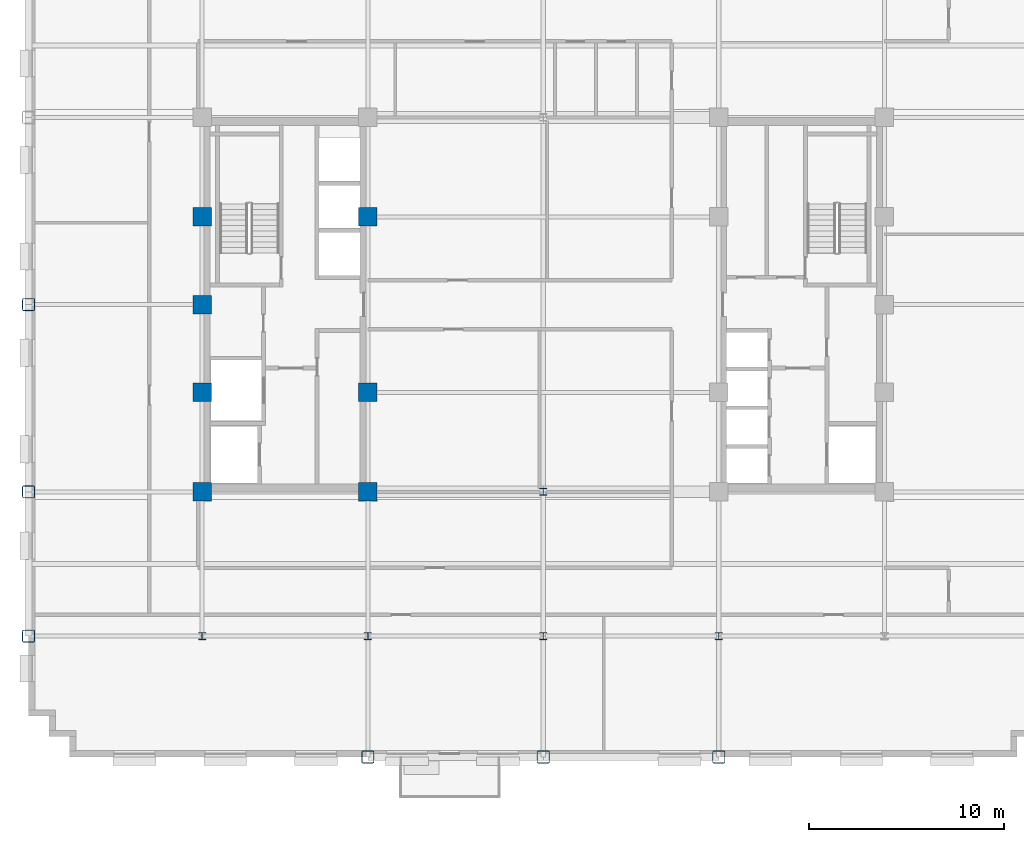
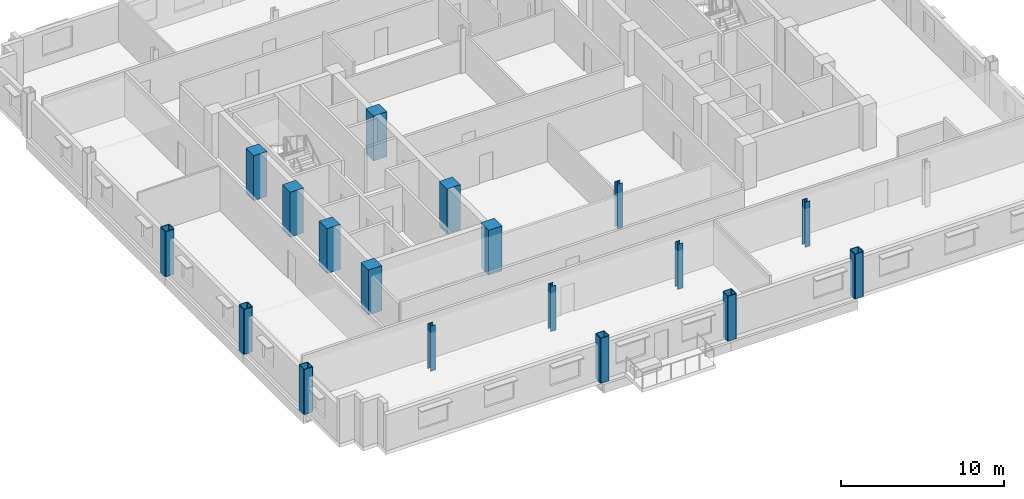
# One storey, part 1 of 14: 18 columns.
"""IFC4 building model written with IfcOpenShell, lengths in metres."""

from ifc_helpers import new_model, si_unit, direction, frame, origin, origin_2d, place, context, subcontext, project, spatial, rectangle, hollow_rectangle, i_section, extrude, material, material_profile, profile_set, type_object, element, save


model = new_model("IFC4")

# Units and contexts
model_context = context("Model", 3, precision=1e-05, world=origin(), true_north=direction((0.0, 1.0)))
body_context = subcontext(model_context, "Body", "Model", "MODEL_VIEW")
ifc_project = project(units=[si_unit("LENGTHUNIT", "METRE"), si_unit("AREAUNIT", "SQUARE_METRE"), si_unit("VOLUMEUNIT", "CUBIC_METRE"), si_unit("PLANEANGLEUNIT", "RADIAN"), si_unit("MASSUNIT", "GRAM", prefix="KILO")], contexts=[model_context])

# Site, building, storey
site_placement = place(None, origin())
site = spatial("IfcSite", under=ifc_project, at=site_placement, CompositionType="ELEMENT")
building_placement = place(site_placement, origin())
building = spatial("IfcBuilding", under=site, at=building_placement, Name="Nuvemarco Arch Tower", CompositionType="ELEMENT")
storey_placement = place(building_placement, frame((0.0, 0.0, 138.449951171875)))
storey = spatial("IfcBuildingStorey", under=building, at=storey_placement, Name="L36", CompositionType="ELEMENT", Elevation=138.449951171875)

# Columns
ifc_material_1 = material(Name="Concrete C50/60", Category="concrete")
ifc_material_profile_1 = material_profile(ifc_material_1, rectangle(XDim=0.949951171875, YDim=0.949951171875, at=origin_2d()), Name="RC-COL-950x950")
ifc_profile_set_1 = profile_set([ifc_material_profile_1], Name="Concrete C50/60")
column_type_1 = type_object("IfcColumnType", Name="COL-CORE-950", PredefinedType="COLUMN", material=ifc_profile_set_1)
for number, where, z_axis, x_axis, name in (
    (1, (-17.5, -9.60009765625, 0.0), (0.0, 0.0, 1.0), (1.0, 0.0, 0.0), "L36 column CC_-17.5_-9.6"),
    (2, (-17.5, -4.5, 0.0), (0.0, 0.0, 1.0), (1.0, 0.0, 0.0), "L36 column CC_-17.5_-4.5"),
    (3, (-17.5, 4.5, 0.0), (0.0, 0.0, 1.0), (1.0, 0.0, 0.0), "L36 column CC_-17.5_+4.5"),
    (4, (-9.0, -9.60009765625, 0.0), (0.0, 0.0, 1.0), (1.0, 0.0, 0.0), "L36 column CC_-9.0_-9.6"),
    (5, (-9.0, -4.5, 0.0), (0.0, 0.0, 1.0), (1.0, 0.0, 0.0), "L36 column CC_-9.0_-4.5"),
    (6, (-9.0, 4.5, 0.0), (0.0, 0.0, 1.0), (1.0, 0.0, 0.0), "L36 column CC_-9.0_+4.5"),
    (7, (-17.5, 0.0, 0.0), (0.0, 0.0, 1.0), (1.0, 0.0, 0.0), "L36 column CC_-17.5_+0.0"),
):
    element("IfcColumn", number, at=place(storey_placement, frame(where, z_axis=z_axis, x_axis=x_axis)), inside=storey, type_object=column_type_1, Name=name, PredefinedType="COLUMN", context=body_context, shape_type="SweptSolid", body=[
        extrude(rectangle(XDim=0.949951171875, YDim=0.949951171875, at=origin_2d()), origin(), (0.0, 0.0, 1.0), 3.3701171875),
    ])
ifc_material_2 = material(Name="Steel S355", Category="steel")
ifc_material_profile_2 = material_profile(ifc_material_2, hollow_rectangle(XDim=0.64990234375, YDim=0.64990234375, WallThickness=0.0400390625, InnerFilletRadius=0.0400390625, OuterFilletRadius=0.080078125, at=origin_2d()), Name="SHS650x650x40")
ifc_profile_set_2 = profile_set([ifc_material_profile_2], Name="Steel S355")
column_type_2 = type_object("IfcColumnType", Name="COL-EXO-650", PredefinedType="COLUMN", material=ifc_profile_set_2)
for number, where, z_axis, x_axis, name in (
    (8, (-26.39990234375, -17.0, 0.0), (0.0, 0.0, 1.0), (1.0, 0.0, 0.0), "L36 column CX_-26.4_-17.0"),
    (9, (-26.39990234375, -9.60009765625, 0.0), (0.0, 0.0, 1.0), (1.0, 0.0, 0.0), "L36 column CX_-26.4_-9.6"),
    (10, (-26.39990234375, 0.0, 0.0), (0.0, 0.0, 1.0), (1.0, 0.0, 0.0), "L36 column CX_-26.4_+0.0"),
    (11, (-9.0, -23.199951171875, 0.0), (0.0, 0.0, 1.0), (1.0, 0.0, 0.0), "L36 column CY_-9.0_-23.2"),
    (12, (0.0, -23.199951171875, 0.0), (0.0, 0.0, 1.0), (1.0, 0.0, 0.0), "L36 column CY_+0.0_-23.2"),
    (13, (9.0, -23.199951171875, 0.0), (0.0, 0.0, 1.0), (1.0, 0.0, 0.0), "L36 column CY_+9.0_-23.2"),
):
    element("IfcColumn", number, at=place(storey_placement, frame(where, z_axis=z_axis, x_axis=x_axis)), inside=storey, type_object=column_type_2, Name=name, PredefinedType="COLUMN", context=body_context, shape_type="SweptSolid", body=[
        extrude(hollow_rectangle(XDim=0.64990234375, YDim=0.64990234375, WallThickness=0.0400390625, InnerFilletRadius=0.0400390625, OuterFilletRadius=0.080078125, at=origin_2d()), origin(), (0.0, 0.0, 1.0), 3.3701171875),
    ])
ifc_material_profile_3 = material_profile(ifc_material_2, i_section(OverallWidth=0.360107421875, OverallDepth=0.360107421875, WebThickness=0.0205078125, FlangeThickness=0.0205078125, FilletRadius=0.01806640625, at=origin_2d()), Name="HP360x174")
ifc_profile_set_3 = profile_set([ifc_material_profile_3], Name="Steel S355")
column_type_3 = type_object("IfcColumnType", Name="COL-STL-HP360", PredefinedType="COLUMN", material=ifc_profile_set_3)
for number, where, z_axis, x_axis, name in (
    (14, (0.0, -17.0, 0.0), (0.0, 0.0, 1.0), (1.0, 0.0, 0.0), "L36 column CI_+0.0_-17.0"),
    (15, (0.0, -9.60009765625, 0.0), (0.0, 0.0, 1.0), (1.0, 0.0, 0.0), "L36 column CI_+0.0_-9.6"),
    (16, (-17.5, -17.0, 0.0), (0.0, 0.0, 1.0), (1.0, 0.0, 0.0), "L36 column CI_-17.5_-17.0"),
    (17, (-9.0, -17.0, 0.0), (0.0, 0.0, 1.0), (1.0, 0.0, 0.0), "L36 column CI_-9.0_-17.0"),
    (18, (9.0, -17.0, 0.0), (0.0, 0.0, 1.0), (1.0, 0.0, 0.0), "L36 column CI_+9.0_-17.0"),
):
    element("IfcColumn", number, at=place(storey_placement, frame(where, z_axis=z_axis, x_axis=x_axis)), inside=storey, type_object=column_type_3, Name=name, PredefinedType="COLUMN", context=body_context, shape_type="SweptSolid", body=[
        extrude(i_section(OverallWidth=0.360107421875, OverallDepth=0.360107421875, WebThickness=0.0205078125, FlangeThickness=0.0205078125, FilletRadius=0.01806640625, at=origin_2d()), origin(), (0.0, 0.0, 1.0), 3.3701171875),
    ])

save(model, "model.ifc")
